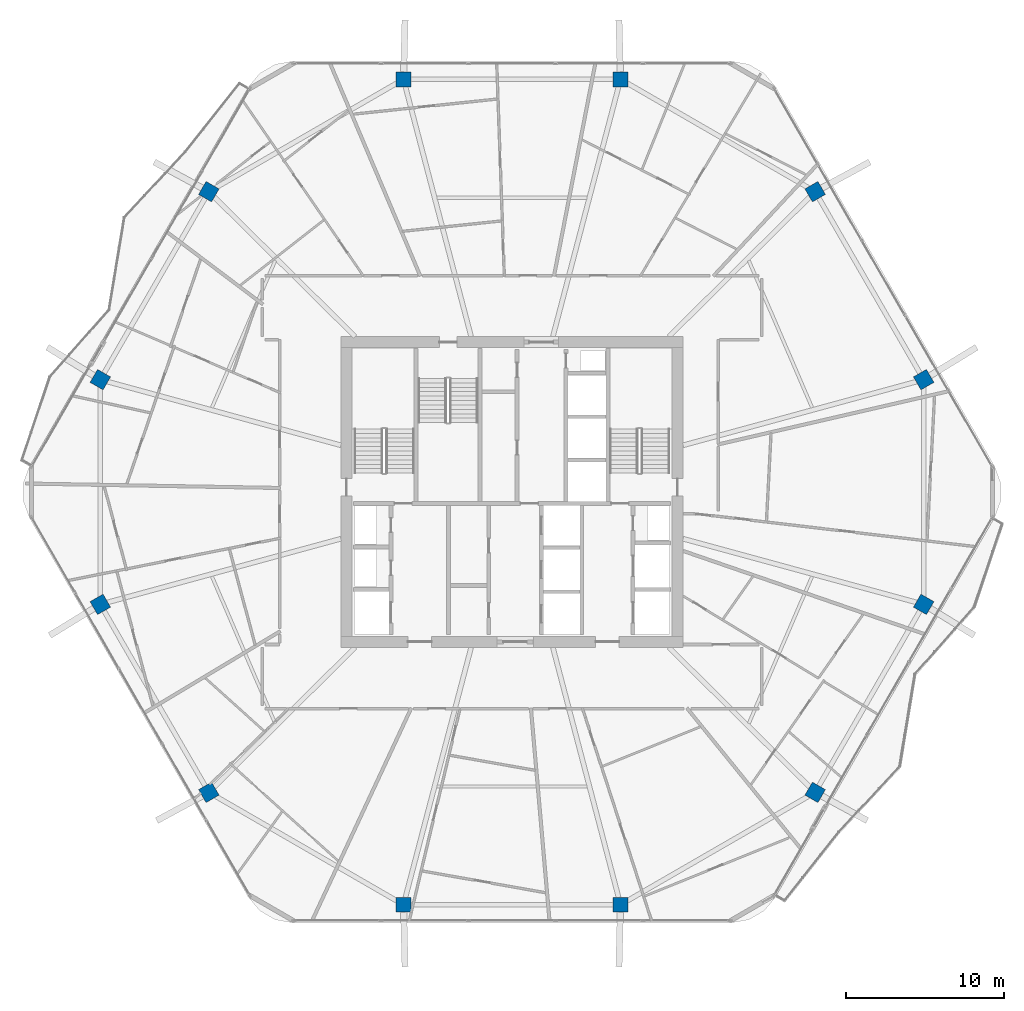
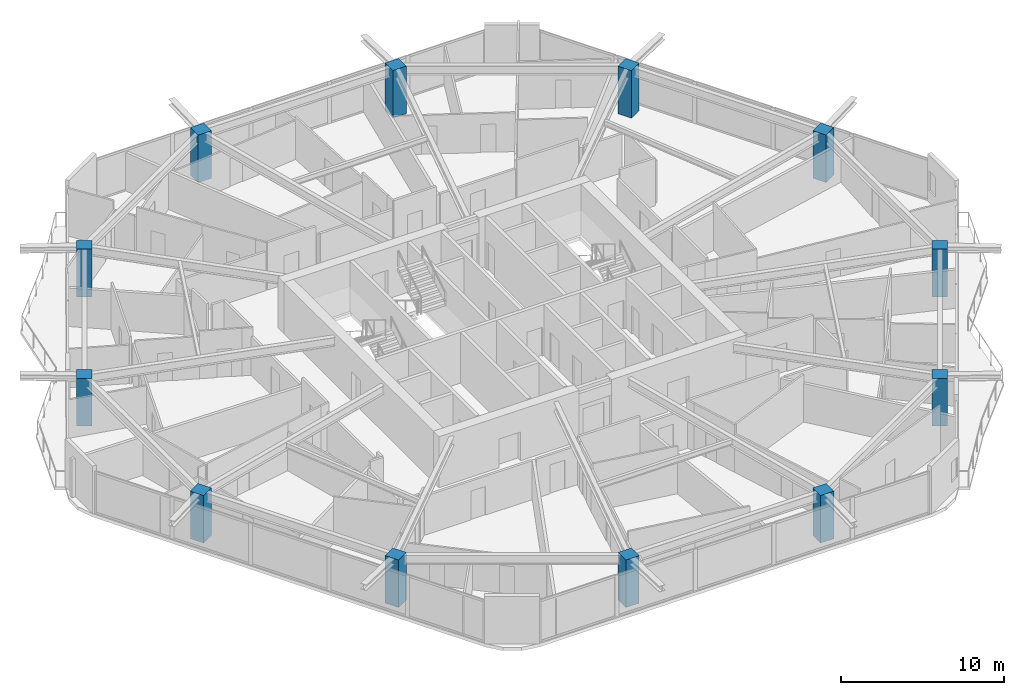
# One storey, part 1 of 26: 12 columns.
"""IFC4 building model written with IfcOpenShell, lengths in metres."""

from ifc_helpers import new_model, si_unit, direction, frame, origin, origin_2d, place, context, subcontext, project, spatial, rectangle, extrude, material, material_profile, profile_set, type_object, element, save


model = new_model("IFC4")

# Units and contexts
model_context = context("Model", 3, precision=1e-05, world=origin(), true_north=direction((0.0, 1.0)))
body_context = subcontext(model_context, "Body", "Model", "MODEL_VIEW")
ifc_project = project(units=[si_unit("LENGTHUNIT", "METRE"), si_unit("AREAUNIT", "SQUARE_METRE"), si_unit("VOLUMEUNIT", "CUBIC_METRE"), si_unit("PLANEANGLEUNIT", "RADIAN"), si_unit("MASSUNIT", "GRAM", prefix="KILO")], contexts=[model_context])

# Site, building, storey
site_placement = place(None, origin())
site = spatial("IfcSite", under=ifc_project, at=site_placement, CompositionType="ELEMENT")
building_placement = place(site_placement, origin())
building = spatial("IfcBuilding", under=site, at=building_placement, Name="Zuhravey Tower", CompositionType="ELEMENT")
storey_placement = place(building_placement, frame((0.0, 0.0, 211.199951171875)))
storey = spatial("IfcBuildingStorey", under=building, at=storey_placement, Name="L53", CompositionType="ELEMENT", Elevation=211.199951171875)

# Columns
ifc_material = material(Name="Concrete C50/60", Category="concrete")
ifc_material_profile = material_profile(ifc_material, rectangle(XDim=0.949951171875, YDim=0.949951171875, at=origin_2d()), Name="RC-950x950")
ifc_profile_set = profile_set([ifc_material_profile], Name="Concrete C50/60")
column_type = type_object("IfcColumnType", Name="Zone 2 Upper Column 950x950", PredefinedType="COLUMN", material=ifc_profile_set)
for number, where, z_axis, x_axis, name in (
    (1, (62.107666015625, 39.12646484375, 0.0), (0.0, 0.0, 1.0), (-0.5, 0.866025403784, 0.0), "L53 Perimeter Column PC01"),
    (2, (55.2255859375, 51.046630859375, 0.0), (0.0, 0.0, 1.0), (-0.5, 0.866025403784, 0.0), "L53 Perimeter Column PC02"),
    (3, (42.882080078125, 58.173095703125, 0.0), (0.0, 0.0, 1.0), (-1.0, 0.0, 0.0), "L53 Perimeter Column PC03"),
    (4, (29.117919921875, 58.173095703125, 0.0), (0.0, 0.0, 1.0), (-1.0, 0.0, 0.0), "L53 Perimeter Column PC04"),
    (5, (16.7744140625, 51.046630859375, 0.0), (0.0, 0.0, 1.0), (-0.5, -0.866025403784, 0.0), "L53 Perimeter Column PC05"),
    (6, (9.892333984375, 39.12646484375, 0.0), (0.0, 0.0, 1.0), (-0.5, -0.866025403784, 0.0), "L53 Perimeter Column PC06"),
    (7, (9.892333984375, 24.87353515625, 0.0), (0.0, 0.0, 1.0), (0.5, -0.866025403784, 0.0), "L53 Perimeter Column PC07"),
    (8, (16.7744140625, 12.953369140625, 0.0), (0.0, 0.0, 1.0), (0.5, -0.866025403784, 0.0), "L53 Perimeter Column PC08"),
    (9, (29.117919921875, 5.826904296875, 0.0), (0.0, 0.0, 1.0), (1.0, 0.0, 0.0), "L53 Perimeter Column PC09"),
    (10, (42.882080078125, 5.826904296875, 0.0), (0.0, 0.0, 1.0), (1.0, 0.0, 0.0), "L53 Perimeter Column PC10"),
    (11, (55.2255859375, 12.953369140625, 0.0), (0.0, 0.0, 1.0), (0.5, 0.866025403784, 0.0), "L53 Perimeter Column PC11"),
    (12, (62.107666015625, 24.87353515625, 0.0), (0.0, 0.0, 1.0), (0.5, 0.866025403784, 0.0), "L53 Perimeter Column PC12"),
):
    element("IfcColumn", number, at=place(storey_placement, frame(where, z_axis=z_axis, x_axis=x_axis)), inside=storey, type_object=column_type, Name=name, PredefinedType="COLUMN", context=body_context, shape_type="SweptSolid", body=[
        extrude(rectangle(XDim=0.949951171875, YDim=0.949951171875, at=origin_2d()), origin(), (0.0, 0.0, 1.0), 3.550048828125),
    ])

save(model, "model.ifc")
